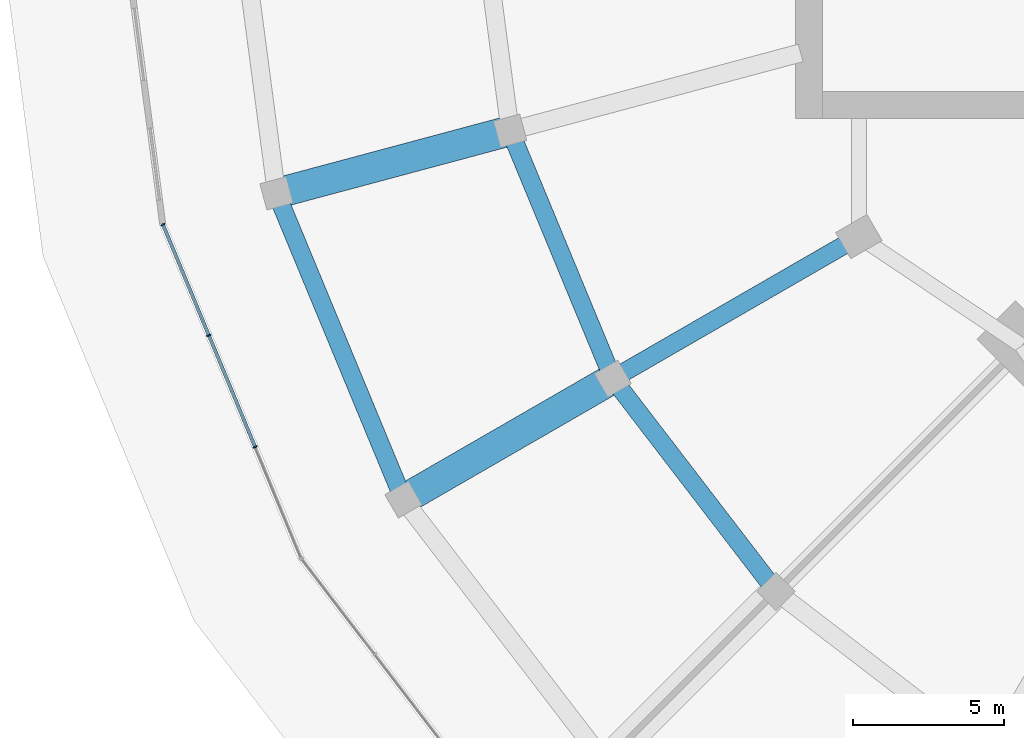
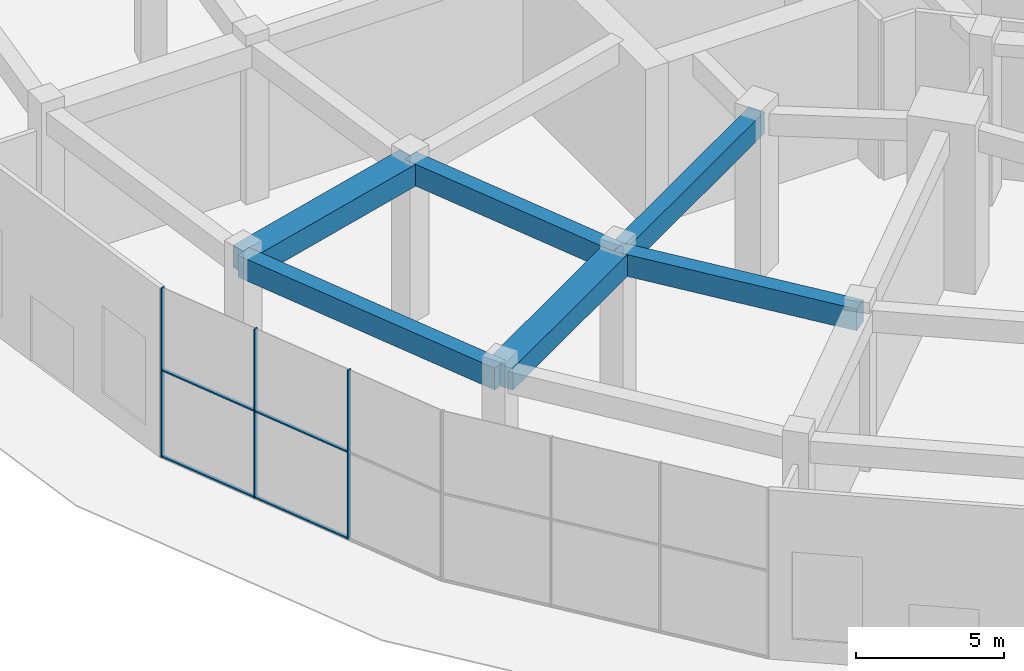
# One storey, part 6 of 31: 7 members, 6 beams, 1 element without a shape of its own.
"""IFC4 building model written with IfcOpenShell, lengths in metres."""

from ifc_helpers import new_model, si_unit, direction, frame, origin, origin_2d, place, context, subcontext, project, spatial, rectangle, extrude, material, layer, layer_set, material_profile, profile_set, type_object, element, aggregate, save


model = new_model("IFC4")

# Units and contexts
model_context = context("Model", 3, precision=1e-05, world=origin(), true_north=direction((0.0, 1.0)))
body_context = subcontext(model_context, "Body", "Model", "MODEL_VIEW")
ifc_project = project(units=[si_unit("LENGTHUNIT", "METRE"), si_unit("AREAUNIT", "SQUARE_METRE"), si_unit("VOLUMEUNIT", "CUBIC_METRE"), si_unit("PLANEANGLEUNIT", "RADIAN"), si_unit("MASSUNIT", "GRAM", prefix="KILO")], contexts=[model_context])

# Site, building, storey
site_placement = place(None, origin())
site = spatial("IfcSite", under=ifc_project, at=site_placement, CompositionType="ELEMENT")
building_placement = place(site_placement, origin())
building = spatial("IfcBuilding", under=site, at=building_placement, Name="Torre Brocal", CompositionType="ELEMENT")
storey_placement = place(building_placement, origin())
storey = spatial("IfcBuildingStorey", under=building, at=storey_placement, Name="L00", CompositionType="ELEMENT", Elevation=0.0)

# Curtain wall, members
ifc_material_1 = material(Name="Aluminium and glass", Category="aluminium")
ifc_layer = layer(ifc_material_1, 0.199951171875)
ifc_layer_set = layer_set([ifc_layer], Name="Aluminium and glass")
curtain_wall_type = type_object("IfcCurtainWallType", Name="CW-3 CURTAIN WALL 7000 HIGH", PredefinedType="NOTDEFINED", material=ifc_layer_set)
curtain_wall_placement = place(storey_placement, origin())
curtain_wall = element("IfcCurtainWall", 1, at=curtain_wall_placement, inside=storey, type_object=curtain_wall_type, Name="CW-3 RUN 14", PredefinedType="NOTDEFINED")
ifc_material_2 = material(Name="Aluminium, dark anodised", Category="aluminium")
ifc_material_profile_1 = material_profile(ifc_material_2, rectangle(XDim=0.14990234375, YDim=0.050048828125, at=origin_2d()), Name="CW-3 MULLION 50X150")
ifc_profile_set_1 = profile_set([ifc_material_profile_1], Name="Aluminium, dark anodised")
member_type_1 = type_object("IfcMemberType", Name="CW-3 MULLION 50X150", PredefinedType="MULLION", material=ifc_profile_set_1)
member_1_placement = place(storey_placement, frame((35.67431640625, 63.097412109375, 0.0), z_axis=(0.0, 0.0, 1.0), x_axis=(0.923879532525, 0.382683432333, 0.0)))
member_1 = element("IfcMember", 2, at=member_1_placement, type_object=member_type_1, Name="CW3-1 mullion 1", PredefinedType="MULLION", context=body_context, shape_type="SweptSolid", body=[
    extrude(rectangle(XDim=0.14990234375, YDim=0.050048828125, at=origin_2d()), origin(), (0.0, 0.0, 1.0), 7.0),
])
member_2_placement = place(storey_placement, frame((37.193359375, 59.430419921875, 0.0), z_axis=(0.0, 0.0, 1.0), x_axis=(0.923879532525, 0.382683432333, 0.0)))
member_2 = element("IfcMember", 3, at=member_2_placement, type_object=member_type_1, Name="CW3-1 mullion 2", PredefinedType="MULLION", context=body_context, shape_type="SweptSolid", body=[
    extrude(rectangle(XDim=0.14990234375, YDim=0.050048828125, at=origin_2d()), origin(), (0.0, 0.0, 1.0), 7.0),
])
member_3_placement = place(storey_placement, frame((38.7216796875, 55.740478515625, 0.0), z_axis=(0.0, 0.0, 1.0), x_axis=(0.923879532525, 0.382683432333, 0.0)))
member_3 = element("IfcMember", 4, at=member_3_placement, type_object=member_type_1, Name="CW3-1 mullion 3", PredefinedType="MULLION", context=body_context, shape_type="SweptSolid", body=[
    extrude(rectangle(XDim=0.14990234375, YDim=0.050048828125, at=origin_2d()), origin(), (0.0, 0.0, 1.0), 7.0),
])
ifc_material_3 = material(Name="Aluminium, dark anodised", Category="aluminium")
ifc_material_profile_2 = material_profile(ifc_material_3, rectangle(XDim=0.1201171875, YDim=0.06005859375, at=origin_2d()), Name="CW-3 TRANSOM 120X60")
ifc_profile_set_2 = profile_set([ifc_material_profile_2], Name="Aluminium, dark anodised")
member_type_2 = type_object("IfcMemberType", Name="CW-3 TRANSOM 120X60", PredefinedType="USERDEFINED", material=ifc_profile_set_2)
member_4_placement = place(storey_placement, frame((35.68408203125, 63.07421875, 0.030029296875), z_axis=(0.382694751573, -0.92387484386, 0.0), x_axis=(0.92387484386, 0.382694751573, 0.0)))
member_4 = element("IfcMember", 5, at=member_4_placement, type_object=member_type_2, Name="CW3-1 transom 1.1", ObjectType="TRANSOM", PredefinedType="USERDEFINED", context=body_context, shape_type="SweptSolid", body=[
    extrude(rectangle(XDim=0.1201171875, YDim=0.06005859375, at=origin_2d()), origin(), (0.0, 0.0, 1.0), 3.9189453125),
])
member_5_placement = place(storey_placement, frame((35.68408203125, 63.07421875, 3.60009765625), z_axis=(0.382694751573, -0.92387484386, 0.0), x_axis=(0.92387484386, 0.382694751573, 0.0)))
member_5 = element("IfcMember", 6, at=member_5_placement, type_object=member_type_2, Name="CW3-1 transom 1.2", ObjectType="TRANSOM", PredefinedType="USERDEFINED", context=body_context, shape_type="SweptSolid", body=[
    extrude(rectangle(XDim=0.1201171875, YDim=0.06005859375, at=origin_2d()), origin(), (0.0, 0.0, 1.0), 3.9189453125),
])
member_6_placement = place(storey_placement, frame((37.202880859375, 59.4072265625, 0.030029296875), z_axis=(0.382676171661, -0.92388253996, 0.0), x_axis=(0.92388253996, 0.382676171661, 0.0)))
member_6 = element("IfcMember", 7, at=member_6_placement, type_object=member_type_2, Name="CW3-1 transom 2.1", ObjectType="TRANSOM", PredefinedType="USERDEFINED", context=body_context, shape_type="SweptSolid", body=[
    extrude(rectangle(XDim=0.1201171875, YDim=0.06005859375, at=origin_2d()), origin(), (0.0, 0.0, 1.0), 3.944091796875),
])
member_7_placement = place(storey_placement, frame((37.202880859375, 59.4072265625, 3.60009765625), z_axis=(0.382676171661, -0.92388253996, 0.0), x_axis=(0.92388253996, 0.382676171661, 0.0)))
member_7 = element("IfcMember", 8, at=member_7_placement, type_object=member_type_2, Name="CW3-1 transom 2.2", ObjectType="TRANSOM", PredefinedType="USERDEFINED", context=body_context, shape_type="SweptSolid", body=[
    extrude(rectangle(XDim=0.1201171875, YDim=0.06005859375, at=origin_2d()), origin(), (0.0, 0.0, 1.0), 3.944091796875),
])
aggregate(curtain_wall, [member_1, member_2, member_3, member_4, member_5, member_6, member_7])

# Beams
ifc_material_4 = material(Name="Concrete C50", Category="concrete")
ifc_material_profile_3 = material_profile(ifc_material_4, rectangle(XDim=0.60009765625, YDim=0.89990234375, at=origin_2d()), Name="RC 600X900")
ifc_profile_set_3 = profile_set([ifc_material_profile_3], Name="Concrete C50")
beam_type_1 = type_object("IfcBeamType", Name="RC BEAM 600X900 C50 TOP 6550", PredefinedType="BEAM", material=ifc_profile_set_3)
beam_1_placement = place(storey_placement, frame((39.43115234375, 64.129638671875, 6.10009765625), z_axis=(0.382680868131, -0.923880594648, 0.0), x_axis=(0.923880594648, 0.382680868131, 0.0)))
element("IfcBeam", 9, at=beam_1_placement, inside=storey, type_object=beam_type_1, Name="Beam BT-07", PredefinedType="BEAM", context=body_context, shape_type="SweptSolid", body=[
    extrude(rectangle(XDim=0.60009765625, YDim=0.89990234375, at=origin_2d()), origin(), (0.0, 0.0, 1.0), 10.964111328125),
])
beam_2_placement = place(storey_placement, frame((47.158447265625, 66.2001953125, 6.10009765625), z_axis=(0.382692703012, -0.923875692429, 0.0), x_axis=(0.923875692429, 0.382692703012, 0.0)))
element("IfcBeam", 10, at=beam_2_placement, inside=storey, type_object=beam_type_1, Name="Beam BT-07", PredefinedType="BEAM", context=body_context, shape_type="SweptSolid", body=[
    extrude(rectangle(XDim=0.60009765625, YDim=0.89990234375, at=origin_2d()), origin(), (0.0, 0.0, 1.0), 8.8759765625),
])
beam_3_placement = place(storey_placement, frame((50.55517578125, 58.0, 6.10009765625), z_axis=(0.608743902882, -0.793366788253, 0.0), x_axis=(0.793366788253, 0.608743902882, 0.0)))
element("IfcBeam", 11, at=beam_3_placement, inside=storey, type_object=beam_type_1, Name="Beam BT-07", PredefinedType="BEAM", context=body_context, shape_type="SweptSolid", body=[
    extrude(rectangle(XDim=0.60009765625, YDim=0.89990234375, at=origin_2d()), origin(), (0.0, 0.0, 1.0), 8.875732421875),
])
beam_4_placement = place(storey_placement, frame((58.69580078125, 62.699951171875, 6.10009765625), z_axis=(-0.866027286158, -0.499996739618, 0.0), x_axis=(0.499996739618, -0.866027286158, 0.0)))
element("IfcBeam", 12, at=beam_4_placement, inside=storey, type_object=beam_type_1, Name="Beam BT-07", PredefinedType="BEAM", context=body_context, shape_type="SweptSolid", body=[
    extrude(rectangle(XDim=0.60009765625, YDim=0.89990234375, at=origin_2d()), origin(), (0.0, 0.0, 1.0), 9.39990234375),
])
ifc_material_5 = material(Name="Concrete C60", Category="concrete")
ifc_material_profile_4 = material_profile(ifc_material_5, rectangle(XDim=1.0, YDim=0.89990234375, at=origin_2d()), Name="RC 1000X900")
ifc_profile_set_4 = profile_set([ifc_material_profile_4], Name="Concrete C60")
beam_type_2 = type_object("IfcBeamType", Name="RC TRANSFER GIRDER 1000X900 C60 TOP 6550", PredefinedType="BEAM", material=ifc_profile_set_4)
for number, where, z_axis, x_axis, name in (
    (13, (47.158447265625, 66.2001953125, 6.10009765625), (-0.965924757309, -0.258823034556, 0.0), (0.258823034556, -0.965924757309, 0.0), "Beam TG-01"),
    (14, (50.55517578125, 58.0, 6.10009765625), (-0.866026010844, -0.49999894854, 0.0), (0.49999894854, -0.866026010844, 0.0), "Beam TG-01"),
):
    element("IfcBeam", number, at=place(storey_placement, frame(where, z_axis=z_axis, x_axis=x_axis)), inside=storey, type_object=beam_type_2, Name=name, PredefinedType="BEAM", context=body_context, shape_type="SweptSolid", body=[
        extrude(rectangle(XDim=1.0, YDim=0.89990234375, at=origin_2d()), origin(), (0.0, 0.0, 1.0), 8.0),
    ])

save(model, "model.ifc")
